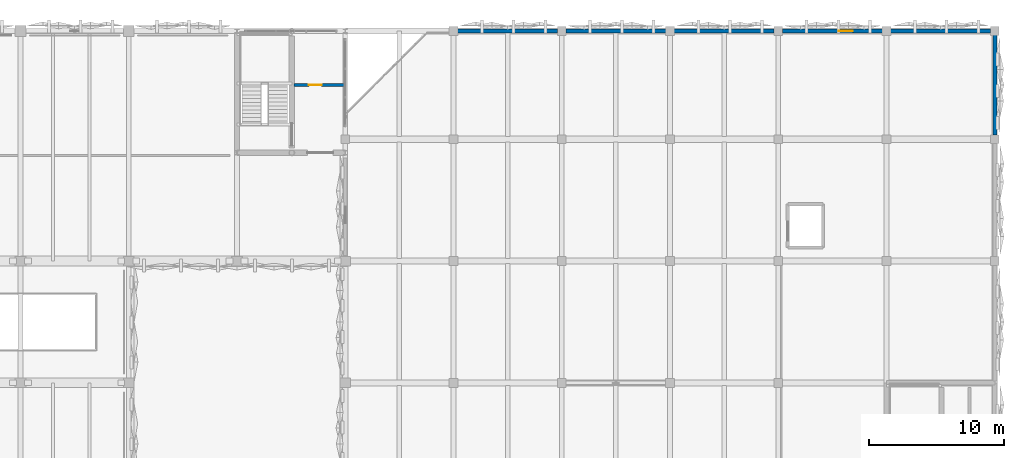
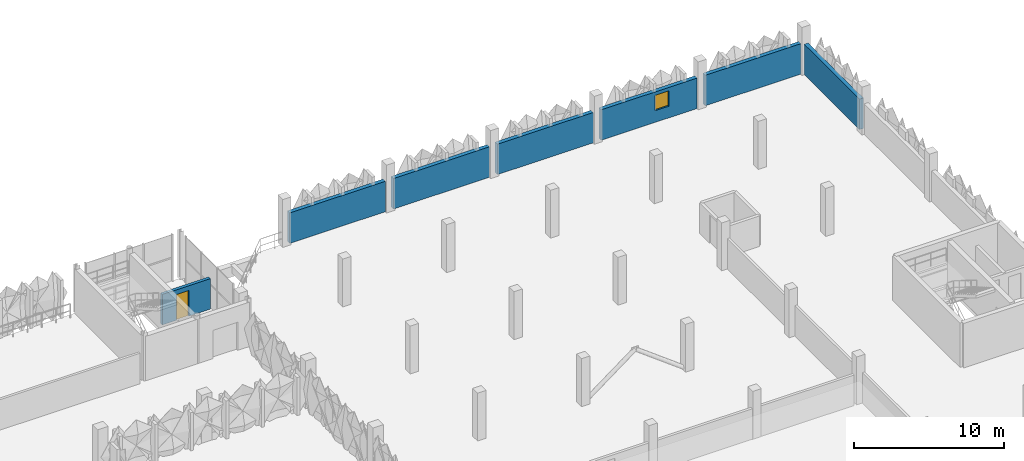
# One storey, part 56 of 96: 7 walls, 1 door, 1 window, 2 openings.
"""IFC4 building model written with IfcOpenShell, lengths in metres."""

from ifc_helpers import new_model, si_unit, derived_unit, direction, frame, frame_2d, origin, place, context, subcontext, project, spatial, rectangle, extrude, material, layer, layer_set, type_object, element, fill, save


model = new_model("IFC4")

# Units and contexts
model_context = context("Model", 3, precision=1e-05, world=origin(), true_north=direction((0.0, 1.0)))
body_context = subcontext(model_context, "Body", "Model", "MODEL_VIEW")
ifc_project = project(units=[si_unit("LENGTHUNIT", "METRE"), si_unit("AREAUNIT", "SQUARE_METRE"), si_unit("VOLUMEUNIT", "CUBIC_METRE"), si_unit("PLANEANGLEUNIT", "RADIAN"), si_unit("MASSUNIT", "GRAM", prefix="KILO"), si_unit("THERMODYNAMICTEMPERATUREUNIT", "KELVIN"), derived_unit("THERMALTRANSMITTANCEUNIT", [(si_unit("POWERUNIT", "WATT"), 1), (si_unit("AREAUNIT", "SQUARE_METRE"), -1), (si_unit("THERMODYNAMICTEMPERATUREUNIT", "KELVIN"), -1)])], contexts=[model_context])

# Site, building, storey
site_placement = place(None, origin())
site = spatial("IfcSite", under=ifc_project, at=site_placement, CompositionType="ELEMENT")
building_placement = place(site_placement, origin())
building = spatial("IfcBuilding", under=site, at=building_placement, Name="Haiyu Intermodal Mobility Hub", CompositionType="ELEMENT")
storey_placement = place(building_placement, frame((0.0, 0.0, 9.5)))
storey = spatial("IfcBuildingStorey", under=building, at=storey_placement, Name="L02", CompositionType="ELEMENT", Elevation=9.5)

# Walls
ifc_material_1 = material(Name="Precast concrete C40", Category="concrete")
ifc_layer_1 = layer(ifc_material_1, 0.300048828125)
ifc_layer_set_1 = layer_set([ifc_layer_1], Name="Precast concrete C40")
wall_type_1 = type_object("IfcWallType", Name="WAL-WE01", PredefinedType="STANDARD", material=ifc_layer_set_1)
for number, where, z_axis, x_axis, name in (
    (1, (210.0, 140.304931640625, 0.0), (0.0, 0.0, 1.0), (0.0, 1.0, 0.0), "WAL-V6E-196"),
    (2, (177.695068359375, 148.0, 0.0), (0.0, 0.0, 1.0), (-1.0, 0.0, 0.0), "WAL-V6N-198"),
    (3, (185.695068359375, 148.0, 0.0), (0.0, 0.0, 1.0), (-1.0, 0.0, 0.0), "WAL-V6N-200"),
    (4, (193.695068359375, 148.0, 0.0), (0.0, 0.0, 1.0), (-1.0, 0.0, 0.0), "WAL-V6N-202"),
):
    element("IfcWall", number, at=place(storey_placement, frame(where, z_axis=z_axis, x_axis=x_axis)), inside=storey, type_object=wall_type_1, Name=name, PredefinedType="STANDARD", context=body_context, shape_type="SweptSolid", body=[
        extrude(rectangle(XDim=7.39013671875, YDim=0.300048828125, at=frame_2d((3.695068359375, 0.0))), origin(), (0.0, 0.0, 1.0), 2.47998046875),
    ])

# Wall, opening, window
wall_1_placement = place(storey_placement, frame((201.695068359375, 148.0, 0.0), z_axis=(0.0, 0.0, 1.0), x_axis=(-1.0, 0.0, 0.0)))
wall_1 = element("IfcWall", 5, at=wall_1_placement, inside=storey, type_object=wall_type_1, Name="WAL-V6N-204", PredefinedType="STANDARD", context=body_context, shape_type="SweptSolid", body=[
    extrude(rectangle(XDim=7.39013671875, YDim=0.300048828125, at=frame_2d((3.695068359375, 0.0))), origin(), (0.0, 0.0, 1.0), 2.47998046875),
])
opening_1_placement = place(wall_1_placement, frame((2.175048828125, 0.0, 0.949951171875)))
opening_1 = element("IfcOpeningElement", 6, at=opening_1_placement, cuts=wall_1, Name="Opening WN21", PredefinedType="OPENING", context=body_context, shape_type="SweptSolid", body=[
    extrude(rectangle(XDim=1.050048828125, YDim=1.25, at=frame_2d((0.52490234375, 0.625))), frame((0.0, 0.16015625, 0.0), z_axis=(0.0, -1.0, 0.0), x_axis=(1.0, 0.0, 0.0)), (0.0, 0.0, 1.0), 0.320068359375),
])
ifc_material_2 = material(Name="Low-e laminated insulating glass", Category="glass")
window_type = type_object("IfcWindowType", Name="WIN-WN21", PartitioningType="SINGLE_PANEL", PredefinedType="WINDOW", material=ifc_material_2)
window_placement = place(opening_1_placement, origin())
window = element("IfcWindow", 7, at=window_placement, inside=storey, type_object=window_type, Name="WAL-V6N-204-WN01", OverallHeight=1.25, OverallWidth=1.050048828125, PartitioningType="SINGLE_PANEL", PredefinedType="WINDOW", context=body_context, shape_type="SweptSolid", body=[
    extrude(rectangle(XDim=1.050048828125, YDim=1.25, at=frame_2d((0.52490234375, 0.625))), frame((0.0, 0.030029296875, 0.0), z_axis=(0.0, -1.0, 0.0), x_axis=(1.0, 0.0, 0.0)), (0.0, 0.0, 1.0), 0.06005859375),
])
fill(opening_1, window)

# Wall
wall_2_placement = place(storey_placement, frame((209.695068359375, 148.0, 0.0), z_axis=(0.0, 0.0, 1.0), x_axis=(-1.0, 0.0, 0.0)))
element("IfcWall", 8, at=wall_2_placement, inside=storey, type_object=wall_type_1, Name="WAL-V6N-206", PredefinedType="STANDARD", context=body_context, shape_type="SweptSolid", body=[
    extrude(rectangle(XDim=7.39013671875, YDim=0.300048828125, at=frame_2d((3.695068359375, 0.0))), origin(), (0.0, 0.0, 1.0), 2.47998046875),
])

# Wall, opening, door
ifc_material_3 = material(Name="Autoclaved aerated concrete block A5.0", Category="concrete")
ifc_layer_2 = layer(ifc_material_3, 0.22998046875)
ifc_layer_set_2 = layer_set([ifc_layer_2], Name="Autoclaved aerated concrete block A5.0")
wall_type_2 = type_object("IfcWallType", Name="WAL-WI01", PredefinedType="PARTITIONING", material=ifc_layer_set_2)
wall_3_placement = place(storey_placement, frame((158.2099609375, 144.0, 0.0), z_axis=(0.0, 0.0, 1.0), x_axis=(1.0, 0.0, 0.0)))
wall_3 = element("IfcWall", 9, at=wall_3_placement, inside=storey, type_object=wall_type_2, Name="WAL-CORE-C4-LFT-L02", PredefinedType="PARTITIONING", context=body_context, shape_type="SweptSolid", body=[
    extrude(rectangle(XDim=3.7099609375, YDim=0.22998046875, at=frame_2d((1.85498046875, 0.0))), origin(), (0.0, 0.0, 1.0), 2.47998046875),
])
opening_2_placement = place(wall_3_placement, frame((1.10009765625, 0.0, 0.0)))
opening_2 = element("IfcOpeningElement", 10, at=opening_2_placement, cuts=wall_3, Name="Opening DI07", PredefinedType="OPENING", context=body_context, shape_type="SweptSolid", body=[
    extrude(rectangle(XDim=0.949951171875, YDim=2.10009765625, at=frame_2d((0.47509765625, 1.050048828125))), frame((0.0, 0.125, 0.0), z_axis=(0.0, -1.0, 0.0), x_axis=(1.0, 0.0, 0.0)), (0.0, 0.0, 1.0), 0.25),
])
ifc_material_4 = material(Name="Steel Q355C", Category="steel")
door_type = type_object("IfcDoorType", Name="DR-DI07", OperationType="NOTDEFINED", PredefinedType="DOOR", material=ifc_material_4)
door_placement = place(opening_2_placement, origin())
door = element("IfcDoor", 11, at=door_placement, inside=storey, type_object=door_type, Name="Core C4 Accessible WC Door L02", OperationType="SINGLE_SWING_RIGHT", OverallHeight=2.10009765625, OverallWidth=0.949951171875, PredefinedType="DOOR", context=body_context, shape_type="SweptSolid", body=[
    extrude(rectangle(XDim=0.949951171875, YDim=2.10009765625, at=frame_2d((0.47509765625, 1.050048828125))), frame((0.0, 0.02490234375, 0.0), z_axis=(0.0, -1.0, 0.0), x_axis=(1.0, 0.0, 0.0)), (0.0, 0.0, 1.0), 0.050048828125),
])
fill(opening_2, door)

save(model, "model.ifc")
